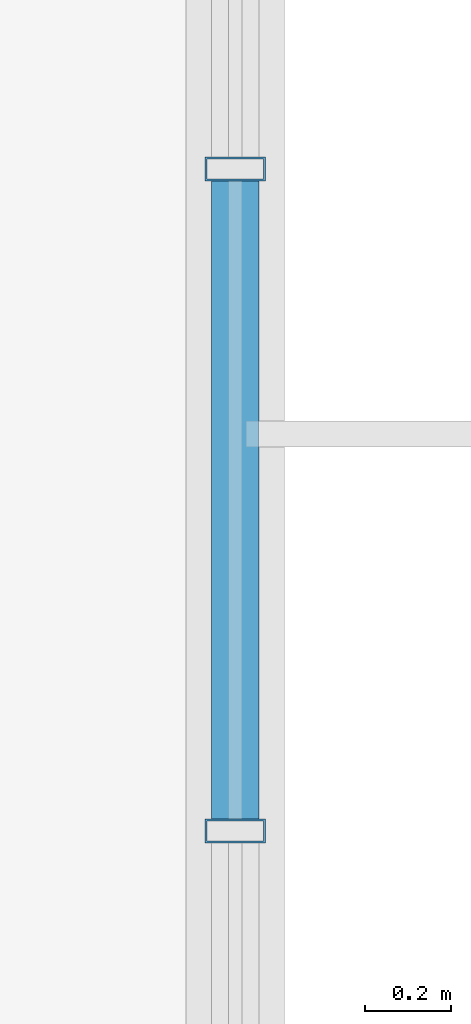
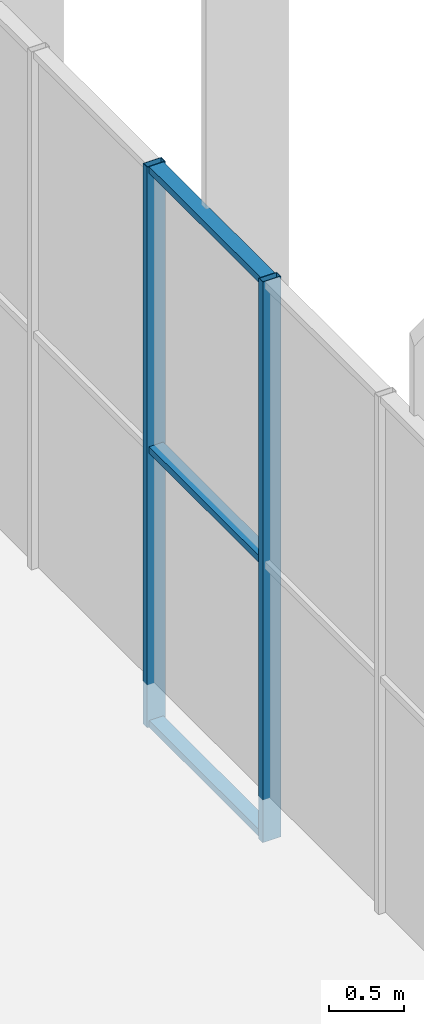
# One storey, part 208 of 324: 5 members, 1 element without a shape of its own.
"""IFC4 building model written with IfcOpenShell, lengths in metres."""

from ifc_helpers import new_model, si_unit, direction, frame, origin, origin_2d, place, context, subcontext, project, spatial, hollow_rectangle, extrude, material, layer, layer_set, material_profile, profile_set, type_object, element, aggregate, save


model = new_model("IFC4")

# Units and contexts
model_context = context("Model", 3, precision=1e-05, world=origin(), true_north=direction((0.0, 1.0)))
body_context = subcontext(model_context, "Body", "Model", "MODEL_VIEW")
ifc_project = project(units=[si_unit("LENGTHUNIT", "METRE"), si_unit("AREAUNIT", "SQUARE_METRE"), si_unit("VOLUMEUNIT", "CUBIC_METRE"), si_unit("PLANEANGLEUNIT", "RADIAN"), si_unit("MASSUNIT", "GRAM", prefix="KILO")], contexts=[model_context])

# Site, building, storey
site_placement = place(None, origin())
site = spatial("IfcSite", under=ifc_project, at=site_placement, CompositionType="ELEMENT")
building_placement = place(site_placement, origin())
building = spatial("IfcBuilding", under=site, at=building_placement, Name="Solvenia Promenade Tram Depot", CompositionType="ELEMENT")
storey_placement = place(building_placement, frame((0.0, 0.0, 4.5)))
storey = spatial("IfcBuildingStorey", under=building, at=storey_placement, Name="L01", CompositionType="ELEMENT", Elevation=4.5)

# Curtain wall, members
ifc_material = material(Name="Anodized aluminium AW-6063 T6", Category="aluminium")
ifc_layer = layer(ifc_material, 0.080078125, Name="Anodized aluminium AW-6063 T6", Category="aluminium")
ifc_layer_set = layer_set([ifc_layer], Name="Anodized aluminium AW-6063 T6")
curtain_wall_type = type_object("IfcCurtainWallType", Name="CW-Clerest-1500", PredefinedType="NOTDEFINED", material=ifc_layer_set)
curtain_wall_placement = place(storey_placement, origin())
curtain_wall = element("IfcCurtainWall", 1, at=curtain_wall_placement, inside=storey, type_object=curtain_wall_type, Name="Curtain Wall CW-V2E-L1-3", PredefinedType="NOTDEFINED")
ifc_material_profile_1 = material_profile(ifc_material, hollow_rectangle(XDim=0.139892578125, YDim=0.054931640625, WallThickness=0.00390625, at=origin_2d()), Name="ALU-M4", Category="aluminium")
ifc_profile_set_1 = profile_set([ifc_material_profile_1], Name="Anodized aluminium AW-6063 T6")
member_type_1 = type_object("IfcMemberType", Name="CWM-Mullion-4", PredefinedType="MULLION", material=ifc_profile_set_1)
member_1_placement = place(storey_placement, frame((186.0, 56.693359375, -0.35009765625), z_axis=(0.0, 0.0, 1.0), x_axis=(-1.0, 0.0, 0.0)))
member_1 = element("IfcMember", 2, at=member_1_placement, type_object=member_type_1, Name="CW-4 mullion 4", PredefinedType="MULLION", context=body_context, shape_type="SweptSolid", body=[
    extrude(hollow_rectangle(XDim=0.139892578125, YDim=0.054931640625, WallThickness=0.00390625, at=origin_2d()), origin(), (0.0, 0.0, 1.0), 4.550048828125),
])
member_2_placement = place(storey_placement, frame((186.0, 58.231201171875, -0.35009765625), z_axis=(0.0, 0.0, 1.0), x_axis=(-1.0, 0.0, 0.0)))
member_2 = element("IfcMember", 3, at=member_2_placement, type_object=member_type_1, Name="CW-4 mullion 5", PredefinedType="MULLION", context=body_context, shape_type="SweptSolid", body=[
    extrude(hollow_rectangle(XDim=0.139892578125, YDim=0.054931640625, WallThickness=0.00390625, at=origin_2d()), origin(), (0.0, 0.0, 1.0), 4.550048828125),
])
ifc_material_profile_2 = material_profile(ifc_material, hollow_rectangle(XDim=0.110107421875, YDim=0.054931640625, WallThickness=0.00390625, at=origin_2d()), Name="ALU-T4", Category="aluminium")
ifc_profile_set_2 = profile_set([ifc_material_profile_2], Name="Anodized aluminium AW-6063 T6")
member_type_2 = type_object("IfcMemberType", Name="CWT-Transom-4", PredefinedType="USERDEFINED", material=ifc_profile_set_2)
member_3_placement = place(storey_placement, frame((186.0, 56.720947265625, -0.322509765625), z_axis=(0.0, 1.0, 0.0), x_axis=(-1.0, 0.0, 0.0)))
member_3 = element("IfcMember", 4, at=member_3_placement, type_object=member_type_2, Name="CW-4 transom 4.1", ObjectType="TRANSOM", PredefinedType="USERDEFINED", context=body_context, shape_type="SweptSolid", body=[
    extrude(hollow_rectangle(XDim=0.110107421875, YDim=0.054931640625, WallThickness=0.00390625, at=origin_2d()), origin(), (0.0, 0.0, 1.0), 1.482666015625),
])
member_4_placement = place(storey_placement, frame((186.0, 56.720947265625, 1.89990234375), z_axis=(0.0, 1.0, 0.0), x_axis=(-1.0, 0.0, 0.0)))
member_4 = element("IfcMember", 5, at=member_4_placement, type_object=member_type_2, Name="CW-4 transom 4.2", ObjectType="TRANSOM", PredefinedType="USERDEFINED", context=body_context, shape_type="SweptSolid", body=[
    extrude(hollow_rectangle(XDim=0.110107421875, YDim=0.054931640625, WallThickness=0.00390625, at=origin_2d()), origin(), (0.0, 0.0, 1.0), 1.482666015625),
])
member_5_placement = place(storey_placement, frame((186.0, 56.720947265625, 4.172607421875), z_axis=(0.0, 1.0, 0.0), x_axis=(-1.0, 0.0, 0.0)))
member_5 = element("IfcMember", 6, at=member_5_placement, type_object=member_type_2, Name="CW-4 transom 4.3", ObjectType="TRANSOM", PredefinedType="USERDEFINED", context=body_context, shape_type="SweptSolid", body=[
    extrude(hollow_rectangle(XDim=0.110107421875, YDim=0.054931640625, WallThickness=0.00390625, at=origin_2d()), origin(), (0.0, 0.0, 1.0), 1.482666015625),
])
aggregate(curtain_wall, [member_1, member_2, member_3, member_4, member_5])

save(model, "model.ifc")
